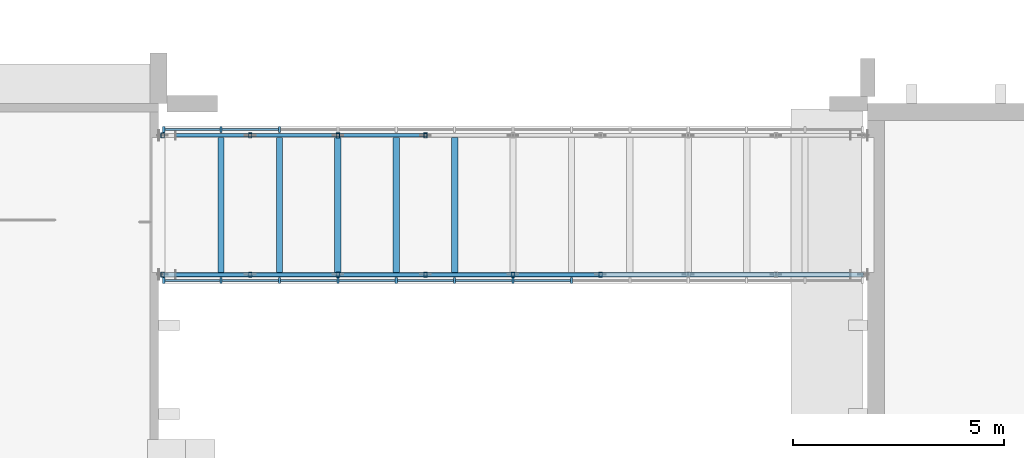
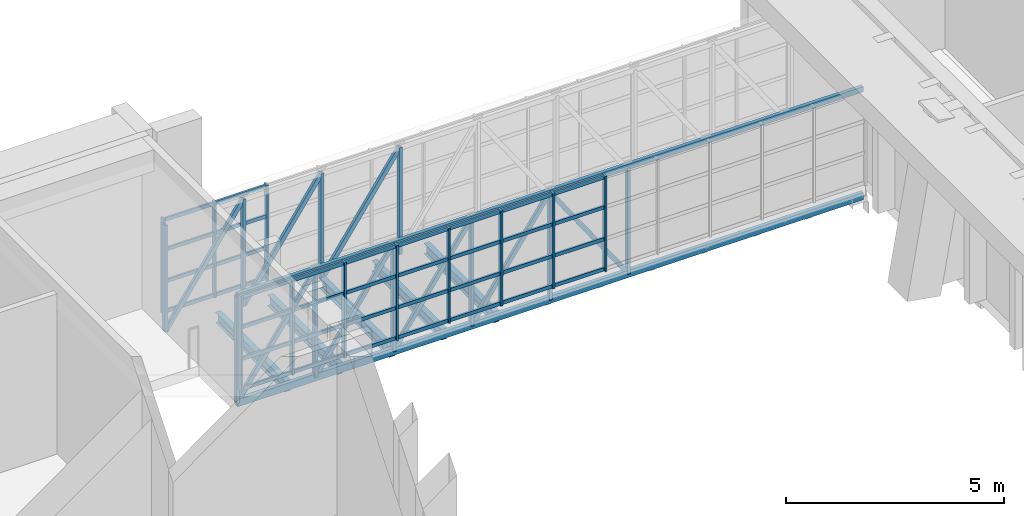
# One storey, part 21 of 86: 67 members, 5 beams, 2 elements without a shape of their own.
"""IFC4 building model written with IfcOpenShell, lengths in metres."""

from ifc_helpers import new_model, si_unit, direction, frame, origin, origin_2d, place, context, subcontext, project, spatial, rectangle, hollow_rectangle, i_section, extrude, material, layer, layer_set, material_profile, profile_set, type_object, element, aggregate, save


model = new_model("IFC4")

# Units and contexts
model_context = context("Model", 3, precision=1e-05, world=origin(), true_north=direction((0.0, 1.0)))
body_context = subcontext(model_context, "Body", "Model", "MODEL_VIEW")
ifc_project = project(units=[si_unit("LENGTHUNIT", "METRE"), si_unit("AREAUNIT", "SQUARE_METRE"), si_unit("VOLUMEUNIT", "CUBIC_METRE"), si_unit("PLANEANGLEUNIT", "RADIAN"), si_unit("MASSUNIT", "GRAM", prefix="KILO")], contexts=[model_context])

# Site, building, storey
site_placement = place(None, origin())
site = spatial("IfcSite", under=ifc_project, at=site_placement, CompositionType="ELEMENT")
building_placement = place(site_placement, origin())
building = spatial("IfcBuilding", under=site, at=building_placement, Name="Kiln Court Media Centre", CompositionType="ELEMENT")
storey_placement = place(building_placement, frame((0.0, 0.0, 10.199951171875)))
storey = spatial("IfcBuildingStorey", under=building, at=storey_placement, Name="L02", CompositionType="ELEMENT", Elevation=10.199951171875)

# Curtain wall, members
ifc_material_1 = material(Name="Aluminium 6063-T6", Category="aluminium")
ifc_layer = layer(ifc_material_1, 0.1201171875)
ifc_layer_set = layer_set([ifc_layer], Name="Aluminium unitised curtain wall, bridge")
curtain_wall_type = type_object("IfcCurtainWallType", Name="Aluminium unitised curtain wall, bridge", PredefinedType="USERDEFINED", material=ifc_layer_set)
curtain_wall_1_placement = place(storey_placement, origin())
curtain_wall_1 = element("IfcCurtainWall", 1, at=curtain_wall_1_placement, inside=storey, type_object=curtain_wall_type, Name="BR-4 side glazing", ObjectType="UNITISED CURTAIN WALL", PredefinedType="USERDEFINED")
ifc_material_2 = material(Name="Aluminium 6063-T6", Category="aluminium")
ifc_material_profile_1 = material_profile(ifc_material_2, rectangle(XDim=0.050048828125, YDim=0.139892578125, at=origin_2d()), Name="Aluminium hall mullion 50x140")
ifc_profile_set_1 = profile_set([ifc_material_profile_1], Name="Aluminium 6063-T6")
member_type_1 = type_object("IfcMemberType", Name="Aluminium hall mullion 50x140", PredefinedType="MULLION", material=ifc_profile_set_1)
member_1_placement = place(storey_placement, frame((100.925048828125, 63.014892578125, 0.0), z_axis=(0.0, 0.0, 1.0), x_axis=(1.0, 0.0, 0.0)))
member_1 = element("IfcMember", 2, at=member_1_placement, type_object=member_type_1, Name="CW2-65 mullion 1", PredefinedType="MULLION", context=body_context, shape_type="SweptSolid", body=[
    extrude(rectangle(XDim=0.050048828125, YDim=0.139892578125, at=origin_2d()), origin(), (0.0, 0.0, 1.0), 2.675048828125),
])
member_2_placement = place(storey_placement, frame((102.283447265625, 63.014892578125, 0.0), z_axis=(0.0, 0.0, 1.0), x_axis=(1.0, 0.0, 0.0)))
member_2 = element("IfcMember", 3, at=member_2_placement, type_object=member_type_1, Name="CW2-65 mullion 2", PredefinedType="MULLION", context=body_context, shape_type="SweptSolid", body=[
    extrude(rectangle(XDim=0.050048828125, YDim=0.139892578125, at=origin_2d()), origin(), (0.0, 0.0, 1.0), 2.675048828125),
])
member_3_placement = place(storey_placement, frame((103.666748046875, 63.014892578125, 0.0), z_axis=(0.0, 0.0, 1.0), x_axis=(1.0, 0.0, 0.0)))
member_3 = element("IfcMember", 4, at=member_3_placement, type_object=member_type_1, Name="CW2-65 mullion 3", PredefinedType="MULLION", context=body_context, shape_type="SweptSolid", body=[
    extrude(rectangle(XDim=0.050048828125, YDim=0.139892578125, at=origin_2d()), origin(), (0.0, 0.0, 1.0), 2.675048828125),
])
member_4_placement = place(storey_placement, frame((105.050048828125, 63.014892578125, 0.0), z_axis=(0.0, 0.0, 1.0), x_axis=(1.0, 0.0, 0.0)))
member_4 = element("IfcMember", 5, at=member_4_placement, type_object=member_type_1, Name="CW2-65 mullion 4", PredefinedType="MULLION", context=body_context, shape_type="SweptSolid", body=[
    extrude(rectangle(XDim=0.050048828125, YDim=0.139892578125, at=origin_2d()), origin(), (0.0, 0.0, 1.0), 2.675048828125),
])
member_5_placement = place(storey_placement, frame((106.433349609375, 63.014892578125, 0.0), z_axis=(0.0, 0.0, 1.0), x_axis=(1.0, 0.0, 0.0)))
member_5 = element("IfcMember", 6, at=member_5_placement, type_object=member_type_1, Name="CW2-65 mullion 5", PredefinedType="MULLION", context=body_context, shape_type="SweptSolid", body=[
    extrude(rectangle(XDim=0.050048828125, YDim=0.139892578125, at=origin_2d()), origin(), (0.0, 0.0, 1.0), 2.675048828125),
])
member_6_placement = place(storey_placement, frame((107.816650390625, 63.014892578125, 0.0), z_axis=(0.0, 0.0, 1.0), x_axis=(1.0, 0.0, 0.0)))
member_6 = element("IfcMember", 7, at=member_6_placement, type_object=member_type_1, Name="CW2-65 mullion 6", PredefinedType="MULLION", context=body_context, shape_type="SweptSolid", body=[
    extrude(rectangle(XDim=0.050048828125, YDim=0.139892578125, at=origin_2d()), origin(), (0.0, 0.0, 1.0), 2.675048828125),
])
member_7_placement = place(storey_placement, frame((109.199951171875, 63.014892578125, 0.0), z_axis=(0.0, 0.0, 1.0), x_axis=(1.0, 0.0, 0.0)))
member_7 = element("IfcMember", 8, at=member_7_placement, type_object=member_type_1, Name="CW2-65 mullion 7", PredefinedType="MULLION", context=body_context, shape_type="SweptSolid", body=[
    extrude(rectangle(XDim=0.050048828125, YDim=0.139892578125, at=origin_2d()), origin(), (0.0, 0.0, 1.0), 2.675048828125),
])
member_8_placement = place(storey_placement, frame((110.583251953125, 63.014892578125, 0.0), z_axis=(0.0, 0.0, 1.0), x_axis=(1.0, 0.0, 0.0)))
member_8 = element("IfcMember", 9, at=member_8_placement, type_object=member_type_1, Name="CW2-65 mullion 8", PredefinedType="MULLION", context=body_context, shape_type="SweptSolid", body=[
    extrude(rectangle(XDim=0.050048828125, YDim=0.139892578125, at=origin_2d()), origin(), (0.0, 0.0, 1.0), 2.675048828125),
])

curtain_wall_2_placement = place(storey_placement, origin())
curtain_wall_2 = element("IfcCurtainWall", 10, at=curtain_wall_2_placement, inside=storey, type_object=curtain_wall_type, Name="BR-4 side glazing", ObjectType="UNITISED CURTAIN WALL", PredefinedType="USERDEFINED")
member_9_placement = place(storey_placement, frame((100.925048828125, 66.5849609375, 0.0), z_axis=(0.0, 0.0, 1.0), x_axis=(1.0, 0.0, 0.0)))
member_9 = element("IfcMember", 11, at=member_9_placement, type_object=member_type_1, Name="CW2-66 mullion 1", PredefinedType="MULLION", context=body_context, shape_type="SweptSolid", body=[
    extrude(rectangle(XDim=0.050048828125, YDim=0.139892578125, at=origin_2d()), origin(), (0.0, 0.0, 1.0), 2.675048828125),
])
member_10_placement = place(storey_placement, frame((102.283447265625, 66.5849609375, 0.0), z_axis=(0.0, 0.0, 1.0), x_axis=(1.0, 0.0, 0.0)))
member_10 = element("IfcMember", 12, at=member_10_placement, type_object=member_type_1, Name="CW2-66 mullion 2", PredefinedType="MULLION", context=body_context, shape_type="SweptSolid", body=[
    extrude(rectangle(XDim=0.050048828125, YDim=0.139892578125, at=origin_2d()), origin(), (0.0, 0.0, 1.0), 2.675048828125),
])
member_11_placement = place(storey_placement, frame((103.666748046875, 66.5849609375, 0.0), z_axis=(0.0, 0.0, 1.0), x_axis=(1.0, 0.0, 0.0)))
member_11 = element("IfcMember", 13, at=member_11_placement, type_object=member_type_1, Name="CW2-66 mullion 3", PredefinedType="MULLION", context=body_context, shape_type="SweptSolid", body=[
    extrude(rectangle(XDim=0.050048828125, YDim=0.139892578125, at=origin_2d()), origin(), (0.0, 0.0, 1.0), 2.675048828125),
])

# Member
ifc_material_3 = material(Name="Aluminium 6063-T6", Category="aluminium")
ifc_material_profile_2 = material_profile(ifc_material_3, rectangle(XDim=0.050048828125, YDim=0.10009765625, at=origin_2d()), Name="Aluminium hall transom 50x100")
ifc_profile_set_2 = profile_set([ifc_material_profile_2], Name="Aluminium 6063-T6")
member_type_2 = type_object("IfcMemberType", Name="Aluminium hall transom 50x100", PredefinedType="USERDEFINED", material=ifc_profile_set_2)
member_12_placement = place(storey_placement, frame((100.949951171875, 63.014892578125, 0.050048828125), z_axis=(1.0, 0.0, 0.0), x_axis=(0.0, 1.0, 0.0)))
member_12 = element("IfcMember", 14, at=member_12_placement, type_object=member_type_2, Name="CW2-65 transom 1.1", ObjectType="TRANSOM", PredefinedType="USERDEFINED", context=body_context, shape_type="SweptSolid", body=[
    extrude(rectangle(XDim=0.050048828125, YDim=0.10009765625, at=origin_2d()), origin(), (0.0, 0.0, 1.0), 1.308349609375),
])

member_13_placement = place(storey_placement, frame((100.949951171875, 63.014892578125, 0.891845703125), z_axis=(1.0, 0.0, 0.0), x_axis=(0.0, 1.0, 0.0)))
member_13 = element("IfcMember", 15, at=member_13_placement, type_object=member_type_2, Name="CW2-65 transom 1.2", ObjectType="TRANSOM", PredefinedType="USERDEFINED", context=body_context, shape_type="SweptSolid", body=[
    extrude(rectangle(XDim=0.050048828125, YDim=0.10009765625, at=origin_2d()), origin(), (0.0, 0.0, 1.0), 1.308349609375),
])

member_14_placement = place(storey_placement, frame((100.949951171875, 63.014892578125, 1.783447265625), z_axis=(1.0, 0.0, 0.0), x_axis=(0.0, 1.0, 0.0)))
member_14 = element("IfcMember", 16, at=member_14_placement, type_object=member_type_2, Name="CW2-65 transom 1.3", ObjectType="TRANSOM", PredefinedType="USERDEFINED", context=body_context, shape_type="SweptSolid", body=[
    extrude(rectangle(XDim=0.050048828125, YDim=0.10009765625, at=origin_2d()), origin(), (0.0, 0.0, 1.0), 1.308349609375),
])

member_15_placement = place(storey_placement, frame((100.949951171875, 63.014892578125, 2.625), z_axis=(1.0, 0.0, 0.0), x_axis=(0.0, 1.0, 0.0)))
member_15 = element("IfcMember", 17, at=member_15_placement, type_object=member_type_2, Name="CW2-65 transom 1.4", ObjectType="TRANSOM", PredefinedType="USERDEFINED", context=body_context, shape_type="SweptSolid", body=[
    extrude(rectangle(XDim=0.050048828125, YDim=0.10009765625, at=origin_2d()), origin(), (0.0, 0.0, 1.0), 1.308349609375),
])

member_16_placement = place(storey_placement, frame((102.308349609375, 63.014892578125, 0.050048828125), z_axis=(1.0, 0.0, 0.0), x_axis=(0.0, 1.0, 0.0)))
member_16 = element("IfcMember", 18, at=member_16_placement, type_object=member_type_2, Name="CW2-65 transom 2.1", ObjectType="TRANSOM", PredefinedType="USERDEFINED", context=body_context, shape_type="SweptSolid", body=[
    extrude(rectangle(XDim=0.050048828125, YDim=0.10009765625, at=origin_2d()), origin(), (0.0, 0.0, 1.0), 1.333251953125),
])

member_17_placement = place(storey_placement, frame((102.308349609375, 63.014892578125, 0.891845703125), z_axis=(1.0, 0.0, 0.0), x_axis=(0.0, 1.0, 0.0)))
member_17 = element("IfcMember", 19, at=member_17_placement, type_object=member_type_2, Name="CW2-65 transom 2.2", ObjectType="TRANSOM", PredefinedType="USERDEFINED", context=body_context, shape_type="SweptSolid", body=[
    extrude(rectangle(XDim=0.050048828125, YDim=0.10009765625, at=origin_2d()), origin(), (0.0, 0.0, 1.0), 1.333251953125),
])

member_18_placement = place(storey_placement, frame((102.308349609375, 63.014892578125, 1.783447265625), z_axis=(1.0, 0.0, 0.0), x_axis=(0.0, 1.0, 0.0)))
member_18 = element("IfcMember", 20, at=member_18_placement, type_object=member_type_2, Name="CW2-65 transom 2.3", ObjectType="TRANSOM", PredefinedType="USERDEFINED", context=body_context, shape_type="SweptSolid", body=[
    extrude(rectangle(XDim=0.050048828125, YDim=0.10009765625, at=origin_2d()), origin(), (0.0, 0.0, 1.0), 1.333251953125),
])

member_19_placement = place(storey_placement, frame((102.308349609375, 63.014892578125, 2.625), z_axis=(1.0, 0.0, 0.0), x_axis=(0.0, 1.0, 0.0)))
member_19 = element("IfcMember", 21, at=member_19_placement, type_object=member_type_2, Name="CW2-65 transom 2.4", ObjectType="TRANSOM", PredefinedType="USERDEFINED", context=body_context, shape_type="SweptSolid", body=[
    extrude(rectangle(XDim=0.050048828125, YDim=0.10009765625, at=origin_2d()), origin(), (0.0, 0.0, 1.0), 1.333251953125),
])

member_20_placement = place(storey_placement, frame((103.691650390625, 63.014892578125, 0.050048828125), z_axis=(1.0, 0.0, 0.0), x_axis=(0.0, 1.0, 0.0)))
member_20 = element("IfcMember", 22, at=member_20_placement, type_object=member_type_2, Name="CW2-65 transom 3.1", ObjectType="TRANSOM", PredefinedType="USERDEFINED", context=body_context, shape_type="SweptSolid", body=[
    extrude(rectangle(XDim=0.050048828125, YDim=0.10009765625, at=origin_2d()), origin(), (0.0, 0.0, 1.0), 1.333251953125),
])

member_21_placement = place(storey_placement, frame((103.691650390625, 63.014892578125, 0.891845703125), z_axis=(1.0, 0.0, 0.0), x_axis=(0.0, 1.0, 0.0)))
member_21 = element("IfcMember", 23, at=member_21_placement, type_object=member_type_2, Name="CW2-65 transom 3.2", ObjectType="TRANSOM", PredefinedType="USERDEFINED", context=body_context, shape_type="SweptSolid", body=[
    extrude(rectangle(XDim=0.050048828125, YDim=0.10009765625, at=origin_2d()), origin(), (0.0, 0.0, 1.0), 1.333251953125),
])

member_22_placement = place(storey_placement, frame((103.691650390625, 63.014892578125, 1.783447265625), z_axis=(1.0, 0.0, 0.0), x_axis=(0.0, 1.0, 0.0)))
member_22 = element("IfcMember", 24, at=member_22_placement, type_object=member_type_2, Name="CW2-65 transom 3.3", ObjectType="TRANSOM", PredefinedType="USERDEFINED", context=body_context, shape_type="SweptSolid", body=[
    extrude(rectangle(XDim=0.050048828125, YDim=0.10009765625, at=origin_2d()), origin(), (0.0, 0.0, 1.0), 1.333251953125),
])

member_23_placement = place(storey_placement, frame((103.691650390625, 63.014892578125, 2.625), z_axis=(1.0, 0.0, 0.0), x_axis=(0.0, 1.0, 0.0)))
member_23 = element("IfcMember", 25, at=member_23_placement, type_object=member_type_2, Name="CW2-65 transom 3.4", ObjectType="TRANSOM", PredefinedType="USERDEFINED", context=body_context, shape_type="SweptSolid", body=[
    extrude(rectangle(XDim=0.050048828125, YDim=0.10009765625, at=origin_2d()), origin(), (0.0, 0.0, 1.0), 1.333251953125),
])

member_24_placement = place(storey_placement, frame((105.074951171875, 63.014892578125, 0.050048828125), z_axis=(1.0, 0.0, 0.0), x_axis=(0.0, 1.0, 0.0)))
member_24 = element("IfcMember", 26, at=member_24_placement, type_object=member_type_2, Name="CW2-65 transom 4.1", ObjectType="TRANSOM", PredefinedType="USERDEFINED", context=body_context, shape_type="SweptSolid", body=[
    extrude(rectangle(XDim=0.050048828125, YDim=0.10009765625, at=origin_2d()), origin(), (0.0, 0.0, 1.0), 1.33349609375),
])

member_25_placement = place(storey_placement, frame((105.074951171875, 63.014892578125, 0.891845703125), z_axis=(1.0, 0.0, 0.0), x_axis=(0.0, 1.0, 0.0)))
member_25 = element("IfcMember", 27, at=member_25_placement, type_object=member_type_2, Name="CW2-65 transom 4.2", ObjectType="TRANSOM", PredefinedType="USERDEFINED", context=body_context, shape_type="SweptSolid", body=[
    extrude(rectangle(XDim=0.050048828125, YDim=0.10009765625, at=origin_2d()), origin(), (0.0, 0.0, 1.0), 1.33349609375),
])

member_26_placement = place(storey_placement, frame((105.074951171875, 63.014892578125, 1.783447265625), z_axis=(1.0, 0.0, 0.0), x_axis=(0.0, 1.0, 0.0)))
member_26 = element("IfcMember", 28, at=member_26_placement, type_object=member_type_2, Name="CW2-65 transom 4.3", ObjectType="TRANSOM", PredefinedType="USERDEFINED", context=body_context, shape_type="SweptSolid", body=[
    extrude(rectangle(XDim=0.050048828125, YDim=0.10009765625, at=origin_2d()), origin(), (0.0, 0.0, 1.0), 1.33349609375),
])

member_27_placement = place(storey_placement, frame((105.074951171875, 63.014892578125, 2.625), z_axis=(1.0, 0.0, 0.0), x_axis=(0.0, 1.0, 0.0)))
member_27 = element("IfcMember", 29, at=member_27_placement, type_object=member_type_2, Name="CW2-65 transom 4.4", ObjectType="TRANSOM", PredefinedType="USERDEFINED", context=body_context, shape_type="SweptSolid", body=[
    extrude(rectangle(XDim=0.050048828125, YDim=0.10009765625, at=origin_2d()), origin(), (0.0, 0.0, 1.0), 1.33349609375),
])

member_28_placement = place(storey_placement, frame((106.458251953125, 63.014892578125, 0.050048828125), z_axis=(1.0, 0.0, 0.0), x_axis=(0.0, 1.0, 0.0)))
member_28 = element("IfcMember", 30, at=member_28_placement, type_object=member_type_2, Name="CW2-65 transom 5.1", ObjectType="TRANSOM", PredefinedType="USERDEFINED", context=body_context, shape_type="SweptSolid", body=[
    extrude(rectangle(XDim=0.050048828125, YDim=0.10009765625, at=origin_2d()), origin(), (0.0, 0.0, 1.0), 1.33349609375),
])

member_29_placement = place(storey_placement, frame((106.458251953125, 63.014892578125, 0.891845703125), z_axis=(1.0, 0.0, 0.0), x_axis=(0.0, 1.0, 0.0)))
member_29 = element("IfcMember", 31, at=member_29_placement, type_object=member_type_2, Name="CW2-65 transom 5.2", ObjectType="TRANSOM", PredefinedType="USERDEFINED", context=body_context, shape_type="SweptSolid", body=[
    extrude(rectangle(XDim=0.050048828125, YDim=0.10009765625, at=origin_2d()), origin(), (0.0, 0.0, 1.0), 1.33349609375),
])

member_30_placement = place(storey_placement, frame((106.458251953125, 63.014892578125, 1.783447265625), z_axis=(1.0, 0.0, 0.0), x_axis=(0.0, 1.0, 0.0)))
member_30 = element("IfcMember", 32, at=member_30_placement, type_object=member_type_2, Name="CW2-65 transom 5.3", ObjectType="TRANSOM", PredefinedType="USERDEFINED", context=body_context, shape_type="SweptSolid", body=[
    extrude(rectangle(XDim=0.050048828125, YDim=0.10009765625, at=origin_2d()), origin(), (0.0, 0.0, 1.0), 1.33349609375),
])

member_31_placement = place(storey_placement, frame((106.458251953125, 63.014892578125, 2.625), z_axis=(1.0, 0.0, 0.0), x_axis=(0.0, 1.0, 0.0)))
member_31 = element("IfcMember", 33, at=member_31_placement, type_object=member_type_2, Name="CW2-65 transom 5.4", ObjectType="TRANSOM", PredefinedType="USERDEFINED", context=body_context, shape_type="SweptSolid", body=[
    extrude(rectangle(XDim=0.050048828125, YDim=0.10009765625, at=origin_2d()), origin(), (0.0, 0.0, 1.0), 1.33349609375),
])

member_32_placement = place(storey_placement, frame((107.841552734375, 63.014892578125, 0.050048828125), z_axis=(1.0, 0.0, 0.0), x_axis=(0.0, 1.0, 0.0)))
member_32 = element("IfcMember", 34, at=member_32_placement, type_object=member_type_2, Name="CW2-65 transom 6.1", ObjectType="TRANSOM", PredefinedType="USERDEFINED", context=body_context, shape_type="SweptSolid", body=[
    extrude(rectangle(XDim=0.050048828125, YDim=0.10009765625, at=origin_2d()), origin(), (0.0, 0.0, 1.0), 1.33349609375),
])

member_33_placement = place(storey_placement, frame((107.841552734375, 63.014892578125, 0.891845703125), z_axis=(1.0, 0.0, 0.0), x_axis=(0.0, 1.0, 0.0)))
member_33 = element("IfcMember", 35, at=member_33_placement, type_object=member_type_2, Name="CW2-65 transom 6.2", ObjectType="TRANSOM", PredefinedType="USERDEFINED", context=body_context, shape_type="SweptSolid", body=[
    extrude(rectangle(XDim=0.050048828125, YDim=0.10009765625, at=origin_2d()), origin(), (0.0, 0.0, 1.0), 1.33349609375),
])

member_34_placement = place(storey_placement, frame((107.841552734375, 63.014892578125, 1.783447265625), z_axis=(1.0, 0.0, 0.0), x_axis=(0.0, 1.0, 0.0)))
member_34 = element("IfcMember", 36, at=member_34_placement, type_object=member_type_2, Name="CW2-65 transom 6.3", ObjectType="TRANSOM", PredefinedType="USERDEFINED", context=body_context, shape_type="SweptSolid", body=[
    extrude(rectangle(XDim=0.050048828125, YDim=0.10009765625, at=origin_2d()), origin(), (0.0, 0.0, 1.0), 1.33349609375),
])

member_35_placement = place(storey_placement, frame((107.841552734375, 63.014892578125, 2.625), z_axis=(1.0, 0.0, 0.0), x_axis=(0.0, 1.0, 0.0)))
member_35 = element("IfcMember", 37, at=member_35_placement, type_object=member_type_2, Name="CW2-65 transom 6.4", ObjectType="TRANSOM", PredefinedType="USERDEFINED", context=body_context, shape_type="SweptSolid", body=[
    extrude(rectangle(XDim=0.050048828125, YDim=0.10009765625, at=origin_2d()), origin(), (0.0, 0.0, 1.0), 1.33349609375),
])

member_36_placement = place(storey_placement, frame((109.22509765625, 63.014892578125, 0.050048828125), z_axis=(1.0, 0.0, 0.0), x_axis=(0.0, 1.0, 0.0)))
member_36 = element("IfcMember", 38, at=member_36_placement, type_object=member_type_2, Name="CW2-65 transom 7.1", ObjectType="TRANSOM", PredefinedType="USERDEFINED", context=body_context, shape_type="SweptSolid", body=[
    extrude(rectangle(XDim=0.050048828125, YDim=0.10009765625, at=origin_2d()), origin(), (0.0, 0.0, 1.0), 1.333251953125),
])

member_37_placement = place(storey_placement, frame((109.22509765625, 63.014892578125, 0.891845703125), z_axis=(1.0, 0.0, 0.0), x_axis=(0.0, 1.0, 0.0)))
member_37 = element("IfcMember", 39, at=member_37_placement, type_object=member_type_2, Name="CW2-65 transom 7.2", ObjectType="TRANSOM", PredefinedType="USERDEFINED", context=body_context, shape_type="SweptSolid", body=[
    extrude(rectangle(XDim=0.050048828125, YDim=0.10009765625, at=origin_2d()), origin(), (0.0, 0.0, 1.0), 1.333251953125),
])

member_38_placement = place(storey_placement, frame((109.22509765625, 63.014892578125, 1.783447265625), z_axis=(1.0, 0.0, 0.0), x_axis=(0.0, 1.0, 0.0)))
member_38 = element("IfcMember", 40, at=member_38_placement, type_object=member_type_2, Name="CW2-65 transom 7.3", ObjectType="TRANSOM", PredefinedType="USERDEFINED", context=body_context, shape_type="SweptSolid", body=[
    extrude(rectangle(XDim=0.050048828125, YDim=0.10009765625, at=origin_2d()), origin(), (0.0, 0.0, 1.0), 1.333251953125),
])

member_39_placement = place(storey_placement, frame((109.22509765625, 63.014892578125, 2.625), z_axis=(1.0, 0.0, 0.0), x_axis=(0.0, 1.0, 0.0)))
member_39 = element("IfcMember", 41, at=member_39_placement, type_object=member_type_2, Name="CW2-65 transom 7.4", ObjectType="TRANSOM", PredefinedType="USERDEFINED", context=body_context, shape_type="SweptSolid", body=[
    extrude(rectangle(XDim=0.050048828125, YDim=0.10009765625, at=origin_2d()), origin(), (0.0, 0.0, 1.0), 1.333251953125),
])

aggregate(curtain_wall_1, [member_1, member_2, member_3, member_4, member_5, member_6, member_7, member_8, member_12, member_13, member_14, member_15, member_16, member_17, member_18, member_19, member_20, member_21, member_22, member_23, member_24, member_25, member_26, member_27, member_28, member_29, member_30, member_31, member_32, member_33, member_34, member_35, member_36, member_37, member_38, member_39])

member_40_placement = place(storey_placement, frame((100.949951171875, 66.5849609375, 0.050048828125), z_axis=(1.0, 0.0, 0.0), x_axis=(0.0, 1.0, 0.0)))
member_40 = element("IfcMember", 42, at=member_40_placement, type_object=member_type_2, Name="CW2-66 transom 1.1", ObjectType="TRANSOM", PredefinedType="USERDEFINED", context=body_context, shape_type="SweptSolid", body=[
    extrude(rectangle(XDim=0.050048828125, YDim=0.10009765625, at=origin_2d()), origin(), (0.0, 0.0, 1.0), 1.308349609375),
])

member_41_placement = place(storey_placement, frame((100.949951171875, 66.5849609375, 0.891845703125), z_axis=(1.0, 0.0, 0.0), x_axis=(0.0, 1.0, 0.0)))
member_41 = element("IfcMember", 43, at=member_41_placement, type_object=member_type_2, Name="CW2-66 transom 1.2", ObjectType="TRANSOM", PredefinedType="USERDEFINED", context=body_context, shape_type="SweptSolid", body=[
    extrude(rectangle(XDim=0.050048828125, YDim=0.10009765625, at=origin_2d()), origin(), (0.0, 0.0, 1.0), 1.308349609375),
])

member_42_placement = place(storey_placement, frame((100.949951171875, 66.5849609375, 1.783447265625), z_axis=(1.0, 0.0, 0.0), x_axis=(0.0, 1.0, 0.0)))
member_42 = element("IfcMember", 44, at=member_42_placement, type_object=member_type_2, Name="CW2-66 transom 1.3", ObjectType="TRANSOM", PredefinedType="USERDEFINED", context=body_context, shape_type="SweptSolid", body=[
    extrude(rectangle(XDim=0.050048828125, YDim=0.10009765625, at=origin_2d()), origin(), (0.0, 0.0, 1.0), 1.308349609375),
])

member_43_placement = place(storey_placement, frame((100.949951171875, 66.5849609375, 2.625), z_axis=(1.0, 0.0, 0.0), x_axis=(0.0, 1.0, 0.0)))
member_43 = element("IfcMember", 45, at=member_43_placement, type_object=member_type_2, Name="CW2-66 transom 1.4", ObjectType="TRANSOM", PredefinedType="USERDEFINED", context=body_context, shape_type="SweptSolid", body=[
    extrude(rectangle(XDim=0.050048828125, YDim=0.10009765625, at=origin_2d()), origin(), (0.0, 0.0, 1.0), 1.308349609375),
])

member_44_placement = place(storey_placement, frame((102.308349609375, 66.5849609375, 0.050048828125), z_axis=(1.0, 0.0, 0.0), x_axis=(0.0, 1.0, 0.0)))
member_44 = element("IfcMember", 46, at=member_44_placement, type_object=member_type_2, Name="CW2-66 transom 2.1", ObjectType="TRANSOM", PredefinedType="USERDEFINED", context=body_context, shape_type="SweptSolid", body=[
    extrude(rectangle(XDim=0.050048828125, YDim=0.10009765625, at=origin_2d()), origin(), (0.0, 0.0, 1.0), 1.333251953125),
])

member_45_placement = place(storey_placement, frame((102.308349609375, 66.5849609375, 0.891845703125), z_axis=(1.0, 0.0, 0.0), x_axis=(0.0, 1.0, 0.0)))
member_45 = element("IfcMember", 47, at=member_45_placement, type_object=member_type_2, Name="CW2-66 transom 2.2", ObjectType="TRANSOM", PredefinedType="USERDEFINED", context=body_context, shape_type="SweptSolid", body=[
    extrude(rectangle(XDim=0.050048828125, YDim=0.10009765625, at=origin_2d()), origin(), (0.0, 0.0, 1.0), 1.333251953125),
])

member_46_placement = place(storey_placement, frame((102.308349609375, 66.5849609375, 1.783447265625), z_axis=(1.0, 0.0, 0.0), x_axis=(0.0, 1.0, 0.0)))
member_46 = element("IfcMember", 48, at=member_46_placement, type_object=member_type_2, Name="CW2-66 transom 2.3", ObjectType="TRANSOM", PredefinedType="USERDEFINED", context=body_context, shape_type="SweptSolid", body=[
    extrude(rectangle(XDim=0.050048828125, YDim=0.10009765625, at=origin_2d()), origin(), (0.0, 0.0, 1.0), 1.333251953125),
])

member_47_placement = place(storey_placement, frame((102.308349609375, 66.5849609375, 2.625), z_axis=(1.0, 0.0, 0.0), x_axis=(0.0, 1.0, 0.0)))
member_47 = element("IfcMember", 49, at=member_47_placement, type_object=member_type_2, Name="CW2-66 transom 2.4", ObjectType="TRANSOM", PredefinedType="USERDEFINED", context=body_context, shape_type="SweptSolid", body=[
    extrude(rectangle(XDim=0.050048828125, YDim=0.10009765625, at=origin_2d()), origin(), (0.0, 0.0, 1.0), 1.333251953125),
])

aggregate(curtain_wall_2, [member_9, member_10, member_11, member_40, member_41, member_42, member_43, member_44, member_45, member_46, member_47])

# Members
ifc_material_4 = material(Name="Steel ASTM A500 Gr C", Category="steel")
ifc_material_profile_3 = material_profile(ifc_material_4, hollow_rectangle(XDim=0.080078125, YDim=0.1201171875, WallThickness=0.00634765625, at=origin_2d()), Name="RHS 120x80x6.3")
ifc_profile_set_3 = profile_set([ifc_material_profile_3], Name="Steel ASTM A500 Gr C")
member_type_3 = type_object("IfcMemberType", Name="Steel ASTM A500 Gr C RHS 120x80x6.3 bridge truss web", PredefinedType="BRACE", material=ifc_profile_set_3)
for number, where, z_axis, x_axis, name in (
    (50, (100.89990234375, 63.14990234375, -0.39990234375), (0.0, 0.0, 1.0), (1.0, 0.0, 0.0), "bridge BR-4 side truss 1 post 1 bridge truss web"),
    (51, (102.97509765625, 63.14990234375, -0.39990234375), (0.0, 0.0, 1.0), (1.0, 0.0, 0.0), "bridge BR-4 side truss 1 post 2 bridge truss web"),
    (52, (105.050048828125, 63.14990234375, -0.39990234375), (0.0, 0.0, 1.0), (1.0, 0.0, 0.0), "bridge BR-4 side truss 1 post 3 bridge truss web"),
    (53, (107.125, 63.14990234375, -0.39990234375), (0.0, 0.0, 1.0), (1.0, 0.0, 0.0), "bridge BR-4 side truss 1 post 4 bridge truss web"),
    (54, (109.199951171875, 63.14990234375, -0.39990234375), (0.0, 0.0, 1.0), (1.0, 0.0, 0.0), "bridge BR-4 side truss 1 post 5 bridge truss web"),
    (55, (111.27490234375, 63.14990234375, -0.39990234375), (0.0, 0.0, 1.0), (1.0, 0.0, 0.0), "bridge BR-4 side truss 1 post 6 bridge truss web"),
):
    element("IfcMember", number, at=place(storey_placement, frame(where, z_axis=z_axis, x_axis=x_axis)), inside=storey, type_object=member_type_3, Name=name, PredefinedType="BRACE", context=body_context, shape_type="SweptSolid", body=[
        extrude(hollow_rectangle(XDim=0.080078125, YDim=0.1201171875, WallThickness=0.00634765625, at=origin_2d()), origin(), (0.0, 0.0, 1.0), 3.0),
    ])
for number, where, z_axis, x_axis, name in (
    (56, (100.89990234375, 63.14990234375, -0.39990234375), (0.568889751131, 0.0, 0.822413795518), (0.0, 1.0, 0.0), "bridge BR-4 side truss 1 diagonal 1 bridge truss web"),
    (57, (102.97509765625, 63.14990234375, -0.39990234375), (0.568844480686, 0.0, 0.822445108681), (0.0, 1.0, 0.0), "bridge BR-4 side truss 1 diagonal 2 bridge truss web"),
    (58, (105.050048828125, 63.14990234375, -0.39990234375), (0.568844480686, 0.0, 0.822445108681), (0.0, 1.0, 0.0), "bridge BR-4 side truss 1 diagonal 3 bridge truss web"),
    (59, (107.125, 63.14990234375, -0.39990234375), (0.568844480686, 0.0, 0.822445108681), (0.0, 1.0, 0.0), "bridge BR-4 side truss 1 diagonal 4 bridge truss web"),
    (60, (109.199951171875, 63.14990234375, 2.60009765625), (0.568844480686, 0.0, -0.822445108681), (0.0, 1.0, 0.0), "bridge BR-4 side truss 1 diagonal 5 bridge truss web"),
):
    element("IfcMember", number, at=place(storey_placement, frame(where, z_axis=z_axis, x_axis=x_axis)), inside=storey, type_object=member_type_3, Name=name, PredefinedType="BRACE", context=body_context, shape_type="SweptSolid", body=[
        extrude(hollow_rectangle(XDim=0.080078125, YDim=0.1201171875, WallThickness=0.00634765625, at=origin_2d()), origin(), (0.0, 0.0, 1.0), 3.647705078125),
    ])
for number, where, z_axis, x_axis, name in (
    (61, (100.89990234375, 66.449951171875, -0.39990234375), (0.0, 0.0, 1.0), (1.0, 0.0, 0.0), "bridge BR-4 side truss 2 post 1 bridge truss web"),
    (62, (102.97509765625, 66.449951171875, -0.39990234375), (0.0, 0.0, 1.0), (1.0, 0.0, 0.0), "bridge BR-4 side truss 2 post 2 bridge truss web"),
    (63, (105.050048828125, 66.449951171875, -0.39990234375), (0.0, 0.0, 1.0), (1.0, 0.0, 0.0), "bridge BR-4 side truss 2 post 3 bridge truss web"),
    (64, (107.125, 66.449951171875, -0.39990234375), (0.0, 0.0, 1.0), (1.0, 0.0, 0.0), "bridge BR-4 side truss 2 post 4 bridge truss web"),
):
    element("IfcMember", number, at=place(storey_placement, frame(where, z_axis=z_axis, x_axis=x_axis)), inside=storey, type_object=member_type_3, Name=name, PredefinedType="BRACE", context=body_context, shape_type="SweptSolid", body=[
        extrude(hollow_rectangle(XDim=0.080078125, YDim=0.1201171875, WallThickness=0.00634765625, at=origin_2d()), origin(), (0.0, 0.0, 1.0), 3.0),
    ])
for number, where, z_axis, x_axis, name in (
    (65, (100.89990234375, 66.449951171875, -0.39990234375), (0.568889751131, 0.0, 0.822413795518), (0.0, 1.0, 0.0), "bridge BR-4 side truss 2 diagonal 1 bridge truss web"),
    (66, (102.97509765625, 66.449951171875, -0.39990234375), (0.568844480686, 0.0, 0.822445108681), (0.0, 1.0, 0.0), "bridge BR-4 side truss 2 diagonal 2 bridge truss web"),
    (67, (105.050048828125, 66.449951171875, -0.39990234375), (0.568844480686, 0.0, 0.822445108681), (0.0, 1.0, 0.0), "bridge BR-4 side truss 2 diagonal 3 bridge truss web"),
):
    element("IfcMember", number, at=place(storey_placement, frame(where, z_axis=z_axis, x_axis=x_axis)), inside=storey, type_object=member_type_3, Name=name, PredefinedType="BRACE", context=body_context, shape_type="SweptSolid", body=[
        extrude(hollow_rectangle(XDim=0.080078125, YDim=0.1201171875, WallThickness=0.00634765625, at=origin_2d()), origin(), (0.0, 0.0, 1.0), 3.647705078125),
    ])
ifc_material_5 = material(Name="Steel ASTM A500 Gr C", Category="steel")
ifc_material_profile_4 = material_profile(ifc_material_5, hollow_rectangle(XDim=0.10009765625, YDim=0.14990234375, WallThickness=0.008056640625, at=origin_2d()), Name="RHS 150x100x8.0")
ifc_profile_set_4 = profile_set([ifc_material_profile_4], Name="Steel ASTM A500 Gr C")
member_type_4 = type_object("IfcMemberType", Name="Steel ASTM A500 Gr C RHS 150x100x8.0 bridge truss chord", PredefinedType="CHORD", material=ifc_profile_set_4)
member_48_placement = place(storey_placement, frame((100.89990234375, 63.14990234375, 2.60009765625), z_axis=(1.0, 0.0, 0.0), x_axis=(0.0, 1.0, 0.0)))
element("IfcMember", 68, at=member_48_placement, inside=storey, type_object=member_type_4, Name="bridge BR-4 side truss 1 top chord bridge truss chord", PredefinedType="CHORD", context=body_context, shape_type="SweptSolid", body=[
    extrude(hollow_rectangle(XDim=0.10009765625, YDim=0.14990234375, WallThickness=0.008056640625, at=origin_2d()), origin(), (0.0, 0.0, 1.0), 16.60009765625),
])
ifc_material_6 = material(Name="Steel ASTM A500 Gr C", Category="steel")
ifc_material_profile_5 = material_profile(ifc_material_6, hollow_rectangle(XDim=0.10009765625, YDim=0.199951171875, WallThickness=0.008056640625, at=origin_2d()), Name="RHS 200x100x8.0")
ifc_profile_set_5 = profile_set([ifc_material_profile_5], Name="Steel ASTM A500 Gr C")
member_type_5 = type_object("IfcMemberType", Name="Steel ASTM A500 Gr C RHS 200x100x8.0 bridge truss chord", PredefinedType="CHORD", material=ifc_profile_set_5)
member_49_placement = place(storey_placement, frame((100.89990234375, 63.14990234375, -0.39990234375), z_axis=(1.0, 0.0, 0.0), x_axis=(0.0, 1.0, 0.0)))
element("IfcMember", 69, at=member_49_placement, inside=storey, type_object=member_type_5, Name="bridge BR-4 side truss 1 bottom chord bridge truss chord", PredefinedType="CHORD", context=body_context, shape_type="SweptSolid", body=[
    extrude(hollow_rectangle(XDim=0.10009765625, YDim=0.199951171875, WallThickness=0.008056640625, at=origin_2d()), origin(), (0.0, 0.0, 1.0), 16.60009765625),
])

# Beams
ifc_material_7 = material(Name="Steel ASTM A572 Gr 50", Category="steel")
ifc_material_profile_6 = material_profile(ifc_material_7, i_section(OverallWidth=0.14990234375, OverallDepth=0.300048828125, WebThickness=0.007080078125, FlangeThickness=0.0107421875, FilletRadius=0.014892578125, at=origin_2d()), Name="IPE 300")
ifc_profile_set_6 = profile_set([ifc_material_profile_6], Name="Steel ASTM A572 Gr 50")
beam_type = type_object("IfcBeamType", Name="Steel ASTM A572 Gr 50 IPE 300 bridge floor beam", PredefinedType="BEAM", material=ifc_profile_set_6)
for number, where, z_axis, x_axis, name in (
    (70, (102.283203125, 63.199951171875, -0.449951171875), (0.0, 1.0, 0.0), (-1.0, 0.0, 0.0), "bridge BR-4 floor beam 1 bridge floor beam"),
    (71, (103.666748046875, 63.199951171875, -0.449951171875), (0.0, 1.0, 0.0), (-1.0, 0.0, 0.0), "bridge BR-4 floor beam 2 bridge floor beam"),
    (72, (105.050048828125, 63.199951171875, -0.449951171875), (0.0, 1.0, 0.0), (-1.0, 0.0, 0.0), "bridge BR-4 floor beam 3 bridge floor beam"),
    (73, (106.433349609375, 63.199951171875, -0.449951171875), (0.0, 1.0, 0.0), (-1.0, 0.0, 0.0), "bridge BR-4 floor beam 4 bridge floor beam"),
    (74, (107.816650390625, 63.199951171875, -0.449951171875), (0.0, 1.0, 0.0), (-1.0, 0.0, 0.0), "bridge BR-4 floor beam 5 bridge floor beam"),
):
    element("IfcBeam", number, at=place(storey_placement, frame(where, z_axis=z_axis, x_axis=x_axis)), inside=storey, type_object=beam_type, Name=name, PredefinedType="BEAM", context=body_context, shape_type="SweptSolid", body=[
        extrude(i_section(OverallWidth=0.14990234375, OverallDepth=0.300048828125, WebThickness=0.007080078125, FlangeThickness=0.0107421875, FilletRadius=0.014892578125, at=origin_2d()), origin(), (0.0, 0.0, 1.0), 3.199951171875),
    ])

save(model, "model.ifc")
